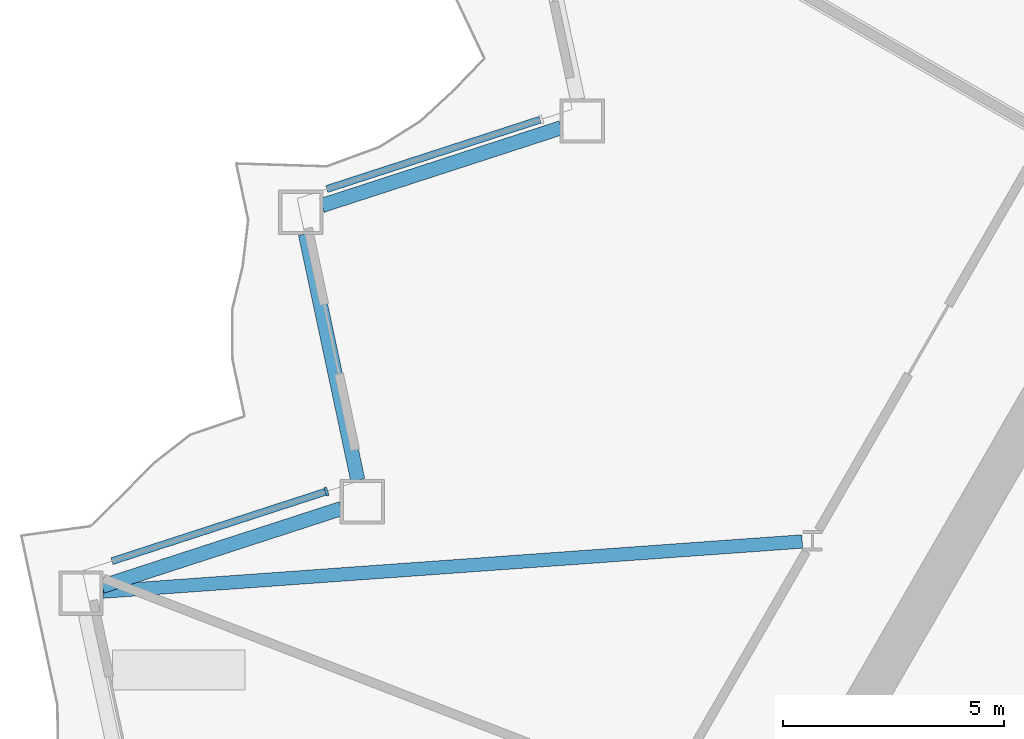
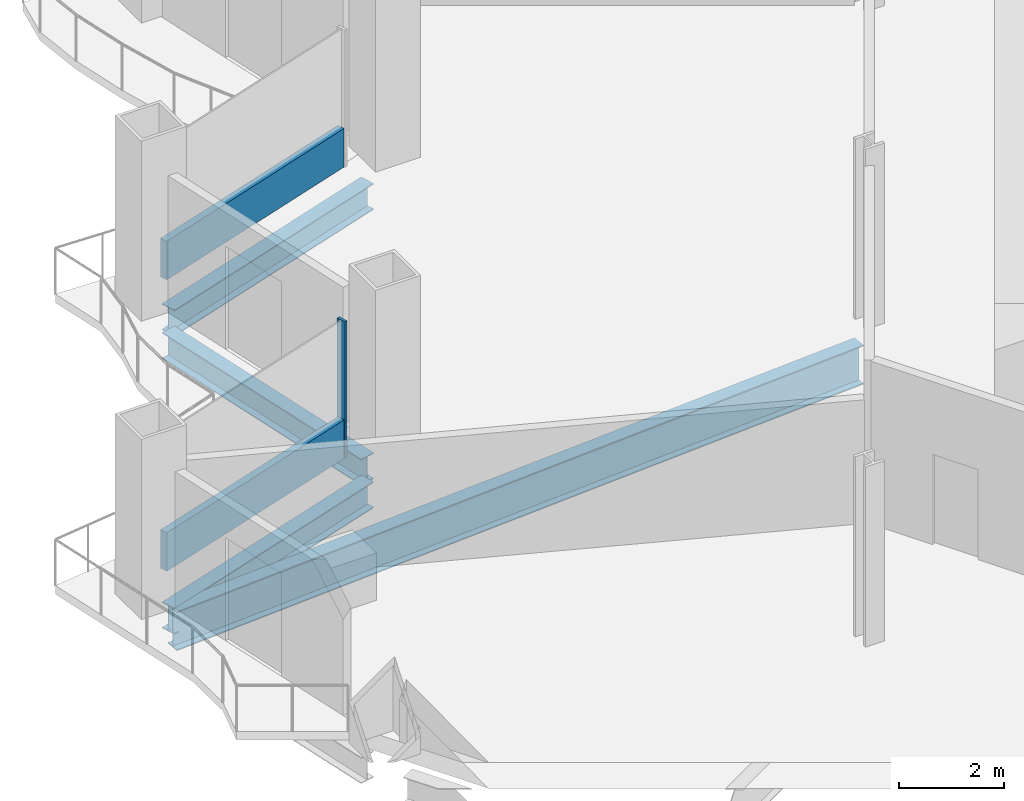
# One storey, part 3 of 21: 4 beams, 3 members, 2 elements without a shape of their own.
"""IFC4 building model written with IfcOpenShell, lengths in metres."""

from ifc_helpers import new_model, si_unit, direction, frame, origin, origin_2d, place, context, subcontext, project, spatial, rectangle, i_section, extrude, material, layer, layer_set, material_profile, profile_set, type_object, element, aggregate, save


model = new_model("IFC4")

# Units and contexts
model_context = context("Model", 3, precision=1e-05, world=origin(), true_north=direction((0.0, 1.0)))
body_context = subcontext(model_context, "Body", "Model", "MODEL_VIEW")
ifc_project = project(units=[si_unit("LENGTHUNIT", "METRE"), si_unit("AREAUNIT", "SQUARE_METRE"), si_unit("VOLUMEUNIT", "CUBIC_METRE"), si_unit("PLANEANGLEUNIT", "RADIAN"), si_unit("MASSUNIT", "GRAM", prefix="KILO")], contexts=[model_context])

# Site, building, storey
site_placement = place(None, origin())
site = spatial("IfcSite", under=ifc_project, at=site_placement, CompositionType="ELEMENT")
building_placement = place(site_placement, origin())
building = spatial("IfcBuilding", under=site, at=building_placement, Name="Cormorant Prow Tower", CompositionType="ELEMENT")
storey_placement = place(building_placement, frame((0.0, 0.0, 46.800048828125)))
storey = spatial("IfcBuildingStorey", under=building, at=storey_placement, Name="L09", CompositionType="ELEMENT", Elevation=46.800048828125)

# Curtain wall, member
ifc_material_1 = material(Name="Aluminium 6063-T6", Category="aluminium")
ifc_layer = layer(ifc_material_1, 0.199951171875)
ifc_layer_set = layer_set([ifc_layer], Name="Aluminium 6063-T6")
curtain_wall_type = type_object("IfcCurtainWallType", Name="Office unitised curtain wall 200", PredefinedType="NOTDEFINED", material=ifc_layer_set)
curtain_wall_1_placement = place(storey_placement, origin())
curtain_wall_1 = element("IfcCurtainWall", 1, at=curtain_wall_1_placement, inside=storey, type_object=curtain_wall_type, Name="Office curtain wall WNW08", PredefinedType="NOTDEFINED")
ifc_material_2 = material(Name="Aluminium 6063-T6", Category="aluminium")
ifc_material_profile_1 = material_profile(ifc_material_2, rectangle(XDim=0.199951171875, YDim=0.06005859375, at=origin_2d()), Name="Office mullion 60x200")
ifc_profile_set_1 = profile_set([ifc_material_profile_1], Name="Aluminium 6063-T6")
member_type_1 = type_object("IfcMemberType", Name="Office mullion 60x200", PredefinedType="MULLION", material=ifc_profile_set_1)
member_1_placement = place(storey_placement, frame((-26.844482421875, -1.9404296875, 0.0), z_axis=(0.0, 0.0, 1.0), x_axis=(0.309016892008, -0.951056549556, 0.0)))
member_1 = element("IfcMember", 2, at=member_1_placement, type_object=member_type_1, Name="Office mullion WNW08", PredefinedType="MULLION", context=body_context, shape_type="SweptSolid", body=[
    extrude(rectangle(XDim=0.199951171875, YDim=0.06005859375, at=origin_2d()), origin(), (0.0, 0.0, 1.0), 3.18896484375),
])

curtain_wall_2_placement = place(storey_placement, origin())
curtain_wall_2 = element("IfcCurtainWall", 3, at=curtain_wall_2_placement, inside=storey, type_object=curtain_wall_type, Name="Office curtain wall WNW06", PredefinedType="NOTDEFINED")
ifc_material_3 = material(Name="Terracotta", Category="masonry")
ifc_material_profile_2 = material_profile(ifc_material_3, rectangle(XDim=0.159912109375, YDim=0.89990234375, at=origin_2d()), Name="Office terracotta spandrel rail 160x900")
ifc_profile_set_2 = profile_set([ifc_material_profile_2], Name="Terracotta")
member_type_2 = type_object("IfcMemberType", Name="Office terracotta spandrel rail 160x900", PredefinedType="USERDEFINED", material=ifc_profile_set_2)
member_2_placement = place(storey_placement, frame((-22.020263671875, 6.455322265625, 0.449951171875), z_axis=(-0.951052135892, -0.309030475545, 0.0), x_axis=(0.309030475545, -0.951052135892, 0.0)))
member_2 = element("IfcMember", 4, at=member_2_placement, type_object=member_type_2, Name="Office spandrel rail WNW06", ObjectType="TRANSOM", PredefinedType="USERDEFINED", context=body_context, shape_type="SweptSolid", body=[
    extrude(rectangle(XDim=0.159912109375, YDim=0.89990234375, at=origin_2d()), origin(), (0.0, 0.0, 1.0), 5.06396484375),
])
aggregate(curtain_wall_2, [member_2])

# Member
member_3_placement = place(storey_placement, frame((-26.873046875, -1.94970703125, 0.449951171875), z_axis=(-0.951047531463, -0.309044645477, 0.0), x_axis=(0.309044645477, -0.951047531463, 0.0)))
member_3 = element("IfcMember", 5, at=member_3_placement, type_object=member_type_2, Name="Office spandrel rail WNW08", ObjectType="TRANSOM", PredefinedType="USERDEFINED", context=body_context, shape_type="SweptSolid", body=[
    extrude(rectangle(XDim=0.159912109375, YDim=0.89990234375, at=origin_2d()), origin(), (0.0, 0.0, 1.0), 5.063720703125),
])

aggregate(curtain_wall_1, [member_1, member_3])

# Beams
ifc_material_4 = material(Name="Structural steel ASTM A992 Gr 50", Category="steel")
ifc_material_profile_3 = material_profile(ifc_material_4, i_section(OverallWidth=0.3046875, OverallDepth=0.914794921875, WebThickness=0.0166015625, FlangeThickness=0.02587890625, at=origin_2d()), Name="W36x160")
ifc_profile_set_3 = profile_set([ifc_material_profile_3], Name="Structural steel ASTM A992 Gr 50")
beam_type_1 = type_object("IfcBeamType", Name="Radial floor beam W36x160", PredefinedType="BEAM", material=ifc_profile_set_3)
beam_1_placement = place(storey_placement, frame((-16.099365234375, -3.0703125, -0.857421875), z_axis=(-0.997443412532, -0.071460750045, 0.0), x_axis=(0.071460750045, -0.997443412532, 0.0)))
element("IfcBeam", 6, at=beam_1_placement, inside=storey, type_object=beam_type_1, Name="Radial floor beam FB1 4 L09", PredefinedType="BEAM", context=body_context, shape_type="SweptSolid", body=[
    extrude(i_section(OverallWidth=0.3046875, OverallDepth=0.914794921875, WebThickness=0.0166015625, FlangeThickness=0.02587890625, at=origin_2d()), origin(), (0.0, 0.0, 1.0), 15.831787109375),
])
ifc_material_5 = material(Name="Structural steel ASTM A992 Gr 50", Category="steel")
ifc_material_profile_4 = material_profile(ifc_material_5, i_section(OverallWidth=0.32373046875, OverallDepth=0.611083984375, WebThickness=0.0126953125, FlangeThickness=0.01904296875, at=origin_2d()), Name="W24x104")
ifc_profile_set_4 = profile_set([ifc_material_profile_4], Name="Structural steel ASTM A992 Gr 50")
beam_type_2 = type_object("IfcBeamType", Name="Spandrel beam W24x104", PredefinedType="SPANDREL", material=ifc_profile_set_4)
beam_2_placement = place(storey_placement, frame((-21.54345703125, 6.274658203125, -0.70556640625), z_axis=(-0.951061849722, -0.309000579292, 0.0), x_axis=(0.309000579292, -0.951061849722, 0.0)))
element("IfcBeam", 7, at=beam_2_placement, inside=storey, type_object=beam_type_2, Name="Spandrel beam SB1 WNW06-WNW07 L09", PredefinedType="SPANDREL", context=body_context, shape_type="SweptSolid", body=[
    extrude(i_section(OverallWidth=0.32373046875, OverallDepth=0.611083984375, WebThickness=0.0126953125, FlangeThickness=0.01904296875, at=origin_2d()), origin(), (0.0, 0.0, 1.0), 5.682373046875),
])
beam_3_placement = place(storey_placement, frame((-27.3193359375, 3.875244140625, -0.70556640625), z_axis=(0.207900376723, -0.97815000555, 0.0), x_axis=(0.97815000555, 0.207900376723, 0.0)))
element("IfcBeam", 8, at=beam_3_placement, inside=storey, type_object=beam_type_2, Name="Spandrel beam SB1 WNW07-WNW08 L09", PredefinedType="SPANDREL", context=body_context, shape_type="SweptSolid", body=[
    extrude(i_section(OverallWidth=0.32373046875, OverallDepth=0.611083984375, WebThickness=0.0126953125, FlangeThickness=0.01904296875, at=origin_2d()), origin(), (0.0, 0.0, 1.0), 5.6826171875),
])
beam_4_placement = place(storey_placement, frame((-26.509521484375, -2.32666015625, -0.70556640625), z_axis=(-0.951049222751, -0.309039440696, 0.0), x_axis=(0.309039440696, -0.951049222751, 0.0)))
element("IfcBeam", 9, at=beam_4_placement, inside=storey, type_object=beam_type_2, Name="Spandrel beam SB1 WNW08-WNW09 L09", PredefinedType="SPANDREL", context=body_context, shape_type="SweptSolid", body=[
    extrude(i_section(OverallWidth=0.32373046875, OverallDepth=0.611083984375, WebThickness=0.0126953125, FlangeThickness=0.01904296875, at=origin_2d()), origin(), (0.0, 0.0, 1.0), 5.682373046875),
])

save(model, "model.ifc")
